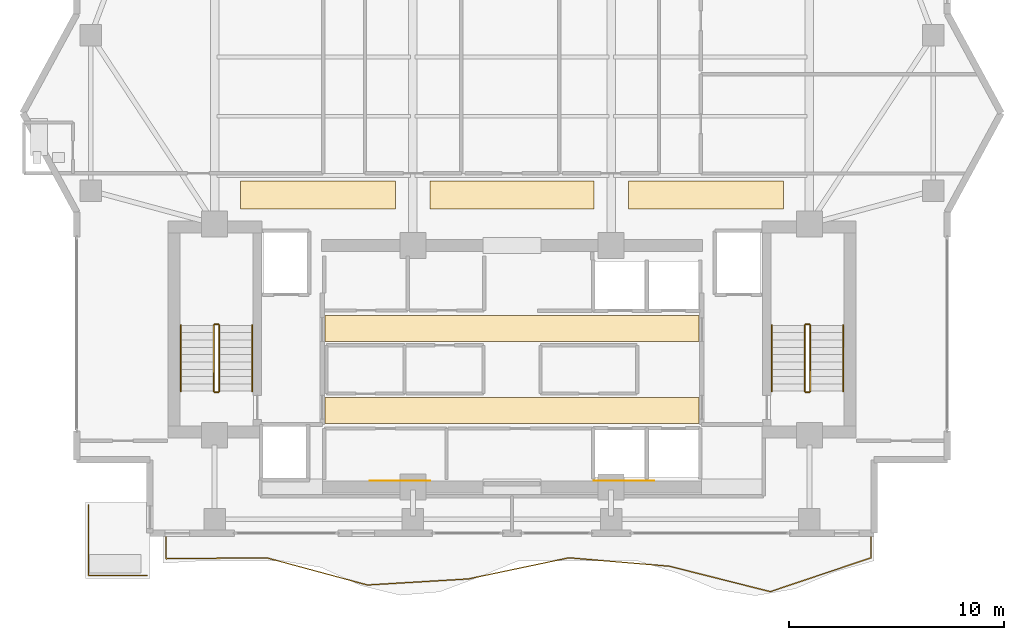
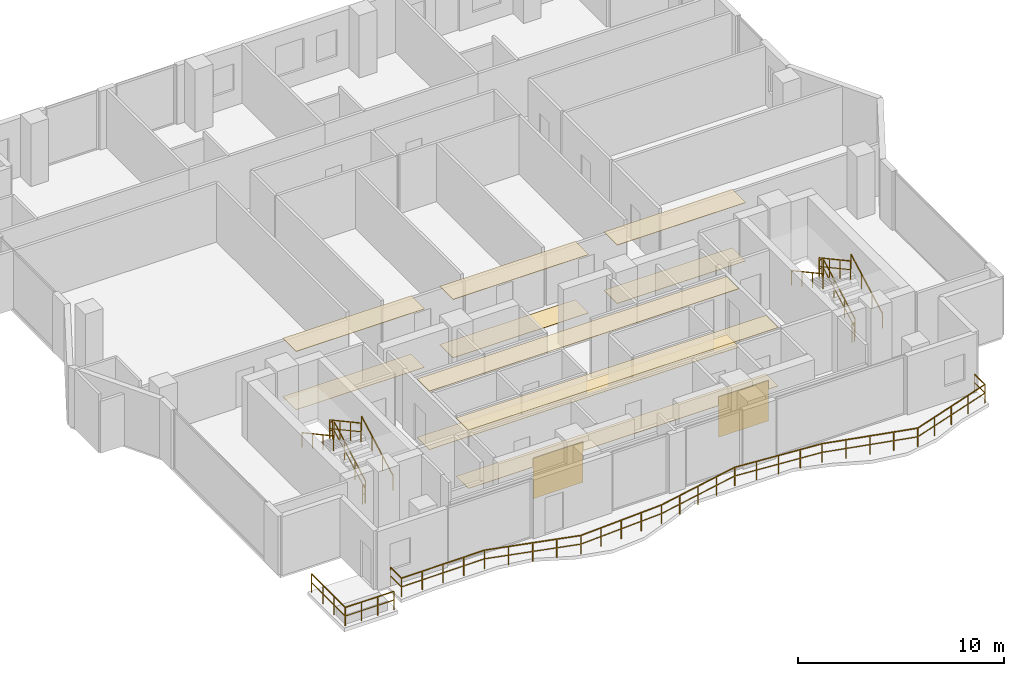
# One storey, part 22 of 24: 14 railings, 12 coverings.
"""IFC4 building model written with IfcOpenShell, lengths in metres."""

from ifc_helpers import new_model, si_unit, direction, frame, origin, origin_2d, place, context, subcontext, project, spatial, polyline, rectangle, outline, extrude, material, layer, layer_set, type_object, element, save


model = new_model("IFC4")

# Units and contexts
model_context = context("Model", 3, precision=1e-05, world=origin(), true_north=direction((0.0, 1.0)))
body_context = subcontext(model_context, "Body", "Model", "MODEL_VIEW")
ifc_project = project(units=[si_unit("LENGTHUNIT", "METRE"), si_unit("AREAUNIT", "SQUARE_METRE"), si_unit("VOLUMEUNIT", "CUBIC_METRE"), si_unit("PLANEANGLEUNIT", "RADIAN"), si_unit("MASSUNIT", "GRAM", prefix="KILO")], contexts=[model_context])

# Site, building, storey
site_placement = place(None, origin())
site = spatial("IfcSite", under=ifc_project, at=site_placement, CompositionType="ELEMENT")
building_placement = place(site_placement, origin())
building = spatial("IfcBuilding", under=site, at=building_placement, Name="Zuhayl Quay Hotel", CompositionType="ELEMENT")
storey_placement = place(building_placement, frame((0.0, 0.0, 280.35009765625)))
storey = spatial("IfcBuildingStorey", under=building, at=storey_placement, Name="L71", CompositionType="ELEMENT", Elevation=280.35009765625)

# Coverings
ifc_material_1 = material(Name="Acoustic Mineral-Fibre Gypsum Board")
ifc_layer_1 = layer(ifc_material_1, 0.02490234375, Name="Acoustic Mineral-Fibre Gypsum Board")
ifc_layer_set_1 = layer_set([ifc_layer_1], Name="Acoustic Mineral-Fibre Gypsum Board")
covering_type_1 = type_object("IfcCoveringType", Name="CV_CEIL_ACOUSTIC", PredefinedType="CEILING", material=ifc_layer_set_1)
covering_1_placement = place(storey_placement, frame((0.0, 0.0, 3.454833984375)))
element("IfcCovering", 1, at=covering_1_placement, inside=storey, type_object=covering_type_1, Name="L71 Suspended Acoustic Lobby Ceiling S", PredefinedType="CEILING", context=body_context, shape_type="SweptSolid", body=[
    extrude(outline(polyline([(-8.679931640625, 5.10009765625), (8.679931640625, 5.10009765625), (8.679931640625, 6.300048828125), (-8.679931640625, 6.300048828125), (-8.679931640625, 5.10009765625)])), origin(), (0.0, 0.0, 1.0), 0.025146484375),
])
covering_2_placement = place(storey_placement, frame((0.0, 0.0, 3.454833984375)))
element("IfcCovering", 2, at=covering_2_placement, inside=storey, type_object=covering_type_1, Name="L71 Suspended Acoustic Lobby Ceiling N", PredefinedType="CEILING", context=body_context, shape_type="SweptSolid", body=[
    extrude(outline(polyline([(-8.679931640625, 8.89990234375), (8.679931640625, 8.89990234375), (8.679931640625, 10.10009765625), (-8.679931640625, 10.10009765625), (-8.679931640625, 8.89990234375)])), origin(), (0.0, 0.0, 1.0), 0.025146484375),
])
covering_3_placement = place(storey_placement, frame((0.0, 0.0, 3.454833984375)))
element("IfcCovering", 3, at=covering_3_placement, inside=storey, type_object=covering_type_1, Name="L71 Guest Corridor Acoustic Ceiling CW", PredefinedType="CEILING", context=body_context, shape_type="SweptSolid", body=[
    extrude(outline(polyline([(-12.60009765625, 15.050048828125), (-5.39990234375, 15.050048828125), (-5.39990234375, 16.35009765625), (-12.60009765625, 16.35009765625), (-12.60009765625, 15.050048828125)])), origin(), (0.0, 0.0, 1.0), 0.025146484375),
])
covering_4_placement = place(storey_placement, frame((0.0, 0.0, 3.454833984375)))
element("IfcCovering", 4, at=covering_4_placement, inside=storey, type_object=covering_type_1, Name="L71 Guest Corridor Acoustic Ceiling CC", PredefinedType="CEILING", context=body_context, shape_type="SweptSolid", body=[
    extrude(outline(polyline([(-3.800048828125, 15.050048828125), (3.800048828125, 15.050048828125), (3.800048828125, 16.35009765625), (-3.800048828125, 16.35009765625), (-3.800048828125, 15.050048828125)])), origin(), (0.0, 0.0, 1.0), 0.025146484375),
])
covering_5_placement = place(storey_placement, frame((0.0, 0.0, 3.454833984375)))
element("IfcCovering", 5, at=covering_5_placement, inside=storey, type_object=covering_type_1, Name="L71 Guest Corridor Acoustic Ceiling CE", PredefinedType="CEILING", context=body_context, shape_type="SweptSolid", body=[
    extrude(outline(polyline([(5.39990234375, 15.050048828125), (12.60009765625, 15.050048828125), (12.60009765625, 16.35009765625), (5.39990234375, 16.35009765625), (5.39990234375, 15.050048828125)])), origin(), (0.0, 0.0, 1.0), 0.025146484375),
])
ifc_material_2 = material(Name="Polished Limestone Terrazzo", Category="masonry")
ifc_layer_2 = layer(ifc_material_2, 0.02001953125, Name="Polished Limestone Terrazzo", Category="masonry")
ifc_layer_set_2 = layer_set([ifc_layer_2], Name="Polished Limestone Terrazzo")
covering_type_2 = type_object("IfcCoveringType", Name="CV_FLOOR_TERRAZZO", PredefinedType="FLOORING", material=ifc_layer_set_2)
covering_6_placement = place(storey_placement, origin())
element("IfcCovering", 6, at=covering_6_placement, inside=storey, type_object=covering_type_2, Name="L71 Honed Limestone Terrazzo Lobby Flooring S", PredefinedType="FLOORING", context=body_context, shape_type="SweptSolid", body=[
    extrude(outline(polyline([(-8.679931640625, 5.10009765625), (8.679931640625, 5.10009765625), (8.679931640625, 6.300048828125), (-8.679931640625, 6.300048828125), (-8.679931640625, 5.10009765625)])), origin(), (0.0, 0.0, 1.0), 0.02001953125),
])
covering_7_placement = place(storey_placement, origin())
element("IfcCovering", 7, at=covering_7_placement, inside=storey, type_object=covering_type_2, Name="L71 Honed Limestone Terrazzo Lobby Flooring N", PredefinedType="FLOORING", context=body_context, shape_type="SweptSolid", body=[
    extrude(outline(polyline([(-8.679931640625, 8.89990234375), (8.679931640625, 8.89990234375), (8.679931640625, 10.10009765625), (-8.679931640625, 10.10009765625), (-8.679931640625, 8.89990234375)])), origin(), (0.0, 0.0, 1.0), 0.02001953125),
])
covering_8_placement = place(storey_placement, origin())
element("IfcCovering", 8, at=covering_8_placement, inside=storey, type_object=covering_type_2, Name="L71 Guest Corridor Terrazzo Runner CW", PredefinedType="FLOORING", context=body_context, shape_type="SweptSolid", body=[
    extrude(outline(polyline([(-12.60009765625, 15.050048828125), (-5.39990234375, 15.050048828125), (-5.39990234375, 16.35009765625), (-12.60009765625, 16.35009765625), (-12.60009765625, 15.050048828125)])), origin(), (0.0, 0.0, 1.0), 0.02001953125),
])
covering_9_placement = place(storey_placement, origin())
element("IfcCovering", 9, at=covering_9_placement, inside=storey, type_object=covering_type_2, Name="L71 Guest Corridor Terrazzo Runner CC", PredefinedType="FLOORING", context=body_context, shape_type="SweptSolid", body=[
    extrude(outline(polyline([(-3.800048828125, 15.050048828125), (3.800048828125, 15.050048828125), (3.800048828125, 16.35009765625), (-3.800048828125, 16.35009765625), (-3.800048828125, 15.050048828125)])), origin(), (0.0, 0.0, 1.0), 0.02001953125),
])
covering_10_placement = place(storey_placement, origin())
element("IfcCovering", 10, at=covering_10_placement, inside=storey, type_object=covering_type_2, Name="L71 Guest Corridor Terrazzo Runner CE", PredefinedType="FLOORING", context=body_context, shape_type="SweptSolid", body=[
    extrude(outline(polyline([(5.39990234375, 15.050048828125), (12.60009765625, 15.050048828125), (12.60009765625, 16.35009765625), (5.39990234375, 16.35009765625), (5.39990234375, 15.050048828125)])), origin(), (0.0, 0.0, 1.0), 0.02001953125),
])
ifc_material_3 = material(Name="Acoustic Walnut Feature Timber", Category="wood")
ifc_layer_3 = layer(ifc_material_3, 0.02197265625, Name="Acoustic Walnut Feature Timber", Category="wood")
ifc_layer_set_3 = layer_set([ifc_layer_3], Name="Acoustic Walnut Feature Timber")
covering_type_3 = type_object("IfcCoveringType", Name="CV_WALL_CLAD", PredefinedType="CLADDING", material=ifc_layer_set_3)
for number, where, z_axis, x_axis, name in (
    (11, (-5.199951171875, 2.43603515625, 0.300048828125), (0.0, 0.0, 1.0), (1.0, 0.0, 0.0), "L71 Feature Lobby Walnut Wall Cladding W"),
    (12, (5.199951171875, 2.43603515625, 0.300048828125), (0.0, 0.0, 1.0), (1.0, 0.0, 0.0), "L71 Feature Lobby Walnut Wall Cladding E"),
):
    element("IfcCovering", number, at=place(storey_placement, frame(where, z_axis=z_axis, x_axis=x_axis)), inside=storey, type_object=covering_type_3, Name=name, PredefinedType="CLADDING", context=body_context, shape_type="SweptSolid", body=[
        extrude(rectangle(XDim=2.800048828125, YDim=0.02197265625, at=origin_2d()), origin(), (0.0, 0.0, 1.0), 2.39990234375),
    ])

# Railings
ifc_material_4 = material(Name="Anodised Aluminium and Laminated Glass", Category="aluminium")
railing_type_1 = type_object("IfcRailingType", Name="RL_EXT_BAL_1100", PredefinedType="BALUSTRADE", material=ifc_material_4)
railing_1_placement = place(storey_placement, frame((-16.06005859375, -0.1201171875, 0.0)))
element("IfcRailing", 13, at=railing_1_placement, inside=storey, type_object=railing_type_1, Name="L71 Balcony and Terrace Guard GR_L71_BAL_S", PredefinedType="BALUSTRADE", context=body_context, shape_type="SweptSolid", body=[
    extrude(rectangle(XDim=0.048095703125, YDim=0.048095703125, at=origin_2d()), frame((0.0, 0.0, 1.09619140625), z_axis=(0.0, -1.0, 0.0), x_axis=(1.0, 0.0, 0.0)), (0.0, 0.0, 1.0), 1.063232421875),
    extrude(rectangle(XDim=0.0361328125, YDim=0.0361328125, at=origin_2d()), frame((0.0, 0.0, 0.58251953125), z_axis=(0.0, -1.0, 0.0), x_axis=(1.0, 0.0, 0.0)), (0.0, 0.0, 1.0), 1.063232421875),
    extrude(rectangle(XDim=0.048095703125, YDim=0.048095703125, at=origin_2d()), frame((0.0, -1.063232421875, 1.09619140625), z_axis=(0.999956785873, 0.009296579332, 0.0), x_axis=(-0.009296579332, 0.999956785873, 0.0)), (0.0, 0.0, 1.0), 4.674560546875),
    extrude(rectangle(XDim=0.0361328125, YDim=0.0361328125, at=origin_2d()), frame((0.0, -1.063232421875, 0.58251953125), z_axis=(0.999956785873, 0.009296579332, 0.0), x_axis=(-0.009296579332, 0.999956785873, 0.0)), (0.0, 0.0, 1.0), 4.674560546875),
    extrude(rectangle(XDim=0.048095703125, YDim=0.048095703125, at=origin_2d()), frame((4.67431640625, -1.019775390625, 1.09619140625), z_axis=(0.965447099775, -0.260599112694, 0.0), x_axis=(0.260599112694, 0.965447099775, 0.0)), (0.0, 0.0, 1.0), 4.841552734375),
    extrude(rectangle(XDim=0.0361328125, YDim=0.0361328125, at=origin_2d()), frame((4.67431640625, -1.019775390625, 0.58251953125), z_axis=(0.965447099775, -0.260599112694, 0.0), x_axis=(0.260599112694, 0.965447099775, 0.0)), (0.0, 0.0, 1.0), 4.841552734375),
    extrude(rectangle(XDim=0.048095703125, YDim=0.048095703125, at=origin_2d()), frame((9.3486328125, -2.281494140625, 1.09619140625), z_axis=(0.99821965182, 0.059645005833, 0.0), x_axis=(-0.059645005833, 0.99821965182, 0.0)), (0.0, 0.0, 1.0), 4.6826171875),
    extrude(rectangle(XDim=0.0361328125, YDim=0.0361328125, at=origin_2d()), frame((9.3486328125, -2.281494140625, 0.58251953125), z_axis=(0.99821965182, 0.059645005833, 0.0), x_axis=(-0.059645005833, 0.99821965182, 0.0)), (0.0, 0.0, 1.0), 4.6826171875),
    extrude(rectangle(XDim=0.048095703125, YDim=0.048095703125, at=origin_2d()), frame((14.02294921875, -2.002197265625, 1.09619140625), z_axis=(0.978619146182, 0.205680739801, 0.0), x_axis=(-0.205680739801, 0.978619146182, 0.0)), (0.0, 0.0, 1.0), 4.7763671875),
    extrude(rectangle(XDim=0.0361328125, YDim=0.0361328125, at=origin_2d()), frame((14.02294921875, -2.002197265625, 0.58251953125), z_axis=(0.978619146182, 0.205680739801, 0.0), x_axis=(-0.205680739801, 0.978619146182, 0.0)), (0.0, 0.0, 1.0), 4.7763671875),
    extrude(rectangle(XDim=0.048095703125, YDim=0.048095703125, at=origin_2d()), frame((18.697265625, -1.019775390625, 1.09619140625), z_axis=(0.996500019339, -0.083592532309, 0.0), x_axis=(0.083592532309, 0.996500019339, 0.0)), (0.0, 0.0, 1.0), 4.6904296875),
    extrude(rectangle(XDim=0.0361328125, YDim=0.0361328125, at=origin_2d()), frame((18.697265625, -1.019775390625, 0.58251953125), z_axis=(0.996500019339, -0.083592532309, 0.0), x_axis=(0.083592532309, 0.996500019339, 0.0)), (0.0, 0.0, 1.0), 4.6904296875),
    extrude(rectangle(XDim=0.048095703125, YDim=0.048095703125, at=origin_2d()), frame((23.371337890625, -1.411865234375, 1.09619140625), z_axis=(0.969657957975, -0.244465630583, 0.0), x_axis=(0.244465630583, 0.969657957975, 0.0)), (0.0, 0.0, 1.0), 4.820556640625),
    extrude(rectangle(XDim=0.0361328125, YDim=0.0361328125, at=origin_2d()), frame((23.371337890625, -1.411865234375, 0.58251953125), z_axis=(0.969657957975, -0.244465630583, 0.0), x_axis=(0.244465630583, 0.969657957975, 0.0)), (0.0, 0.0, 1.0), 4.820556640625),
    extrude(rectangle(XDim=0.048095703125, YDim=0.048095703125, at=origin_2d()), frame((28.045654296875, -2.59033203125, 1.09619140625), z_axis=(0.947923069513, 0.318499378783, 0.0), x_axis=(-0.318499378783, 0.947923069513, 0.0)), (0.0, 0.0, 1.0), 4.93115234375),
    extrude(rectangle(XDim=0.0361328125, YDim=0.0361328125, at=origin_2d()), frame((28.045654296875, -2.59033203125, 0.58251953125), z_axis=(0.947923069513, 0.318499378783, 0.0), x_axis=(-0.318499378783, 0.947923069513, 0.0)), (0.0, 0.0, 1.0), 4.93115234375),
    extrude(rectangle(XDim=0.048095703125, YDim=0.048095703125, at=origin_2d()), frame((32.719970703125, -1.019775390625, 1.09619140625), z_axis=(0.0, 1.0, 0.0), x_axis=(-1.0, 0.0, 0.0)), (0.0, 0.0, 1.0), 1.019775390625),
    extrude(rectangle(XDim=0.0361328125, YDim=0.0361328125, at=origin_2d()), frame((32.719970703125, -1.019775390625, 0.58251953125), z_axis=(0.0, 1.0, 0.0), x_axis=(-1.0, 0.0, 0.0)), (0.0, 0.0, 1.0), 1.019775390625),
    extrude(rectangle(XDim=0.0419921875, YDim=0.0419921875, at=origin_2d()), origin(), (0.0, 0.0, 1.0), 1.072021484375),
    extrude(rectangle(XDim=0.0419921875, YDim=0.0419921875, at=origin_2d()), frame((0.0, -1.063232421875, 0.0)), (0.0, 0.0, 1.0), 1.072021484375),
    extrude(rectangle(XDim=0.0419921875, YDim=0.0419921875, at=origin_2d()), frame((1.16845703125, -1.05224609375, 0.0)), (0.0, 0.0, 1.0), 1.072021484375),
    extrude(rectangle(XDim=0.0419921875, YDim=0.0419921875, at=origin_2d()), frame((2.337158203125, -1.04150390625, 0.0)), (0.0, 0.0, 1.0), 1.072021484375),
    extrude(rectangle(XDim=0.0419921875, YDim=0.0419921875, at=origin_2d()), frame((3.505859375, -1.03076171875, 0.0)), (0.0, 0.0, 1.0), 1.072021484375),
    extrude(rectangle(XDim=0.0419921875, YDim=0.0419921875, at=origin_2d()), frame((4.67431640625, -1.019775390625, 0.0)), (0.0, 0.0, 1.0), 1.072021484375),
    extrude(rectangle(XDim=0.0419921875, YDim=0.0419921875, at=origin_2d()), frame((5.8427734375, -1.335205078125, 0.0)), (0.0, 0.0, 1.0), 1.072021484375),
    extrude(rectangle(XDim=0.0419921875, YDim=0.0419921875, at=origin_2d()), frame((7.011474609375, -1.650634765625, 0.0)), (0.0, 0.0, 1.0), 1.072021484375),
    extrude(rectangle(XDim=0.0419921875, YDim=0.0419921875, at=origin_2d()), frame((8.18017578125, -1.966064453125, 0.0)), (0.0, 0.0, 1.0), 1.072021484375),
    extrude(rectangle(XDim=0.0419921875, YDim=0.0419921875, at=origin_2d()), frame((9.3486328125, -2.281494140625, 0.0)), (0.0, 0.0, 1.0), 1.072021484375),
    extrude(rectangle(XDim=0.0419921875, YDim=0.0419921875, at=origin_2d()), frame((10.51708984375, -2.211669921875, 0.0)), (0.0, 0.0, 1.0), 1.072021484375),
    extrude(rectangle(XDim=0.0419921875, YDim=0.0419921875, at=origin_2d()), frame((11.685791015625, -2.141845703125, 0.0)), (0.0, 0.0, 1.0), 1.072021484375),
    extrude(rectangle(XDim=0.0419921875, YDim=0.0419921875, at=origin_2d()), frame((12.8544921875, -2.072021484375, 0.0)), (0.0, 0.0, 1.0), 1.072021484375),
    extrude(rectangle(XDim=0.0419921875, YDim=0.0419921875, at=origin_2d()), frame((14.02294921875, -2.002197265625, 0.0)), (0.0, 0.0, 1.0), 1.072021484375),
    extrude(rectangle(XDim=0.0419921875, YDim=0.0419921875, at=origin_2d()), frame((15.19140625, -1.756591796875, 0.0)), (0.0, 0.0, 1.0), 1.072021484375),
    extrude(rectangle(XDim=0.0419921875, YDim=0.0419921875, at=origin_2d()), frame((16.360107421875, -1.510986328125, 0.0)), (0.0, 0.0, 1.0), 1.072021484375),
    extrude(rectangle(XDim=0.0419921875, YDim=0.0419921875, at=origin_2d()), frame((17.52880859375, -1.265380859375, 0.0)), (0.0, 0.0, 1.0), 1.072021484375),
    extrude(rectangle(XDim=0.0419921875, YDim=0.0419921875, at=origin_2d()), frame((18.697265625, -1.019775390625, 0.0)), (0.0, 0.0, 1.0), 1.072021484375),
    extrude(rectangle(XDim=0.0419921875, YDim=0.0419921875, at=origin_2d()), frame((19.86572265625, -1.11767578125, 0.0)), (0.0, 0.0, 1.0), 1.072021484375),
    extrude(rectangle(XDim=0.0419921875, YDim=0.0419921875, at=origin_2d()), frame((21.0341796875, -1.2158203125, 0.0)), (0.0, 0.0, 1.0), 1.072021484375),
    extrude(rectangle(XDim=0.0419921875, YDim=0.0419921875, at=origin_2d()), frame((22.202880859375, -1.31396484375, 0.0)), (0.0, 0.0, 1.0), 1.072021484375),
    extrude(rectangle(XDim=0.0419921875, YDim=0.0419921875, at=origin_2d()), frame((23.371337890625, -1.411865234375, 0.0)), (0.0, 0.0, 1.0), 1.072021484375),
    extrude(rectangle(XDim=0.0419921875, YDim=0.0419921875, at=origin_2d()), frame((24.5400390625, -1.70654296875, 0.0)), (0.0, 0.0, 1.0), 1.072021484375),
    extrude(rectangle(XDim=0.0419921875, YDim=0.0419921875, at=origin_2d()), frame((25.70849609375, -2.0009765625, 0.0)), (0.0, 0.0, 1.0), 1.072021484375),
    extrude(rectangle(XDim=0.0419921875, YDim=0.0419921875, at=origin_2d()), frame((26.876953125, -2.295654296875, 0.0)), (0.0, 0.0, 1.0), 1.072021484375),
    extrude(rectangle(XDim=0.0419921875, YDim=0.0419921875, at=origin_2d()), frame((28.045654296875, -2.59033203125, 0.0)), (0.0, 0.0, 1.0), 1.072021484375),
    extrude(rectangle(XDim=0.0419921875, YDim=0.0419921875, at=origin_2d()), frame((29.21435546875, -2.19775390625, 0.0)), (0.0, 0.0, 1.0), 1.072021484375),
    extrude(rectangle(XDim=0.0419921875, YDim=0.0419921875, at=origin_2d()), frame((30.3828125, -1.80517578125, 0.0)), (0.0, 0.0, 1.0), 1.072021484375),
    extrude(rectangle(XDim=0.0419921875, YDim=0.0419921875, at=origin_2d()), frame((31.55126953125, -1.412353515625, 0.0)), (0.0, 0.0, 1.0), 1.072021484375),
    extrude(rectangle(XDim=0.0419921875, YDim=0.0419921875, at=origin_2d()), frame((32.719970703125, -1.019775390625, 0.0)), (0.0, 0.0, 1.0), 1.072021484375),
    extrude(rectangle(XDim=0.0419921875, YDim=0.0419921875, at=origin_2d()), frame((32.719970703125, 0.0, 0.0)), (0.0, 0.0, 1.0), 1.072021484375),
])
railing_2_placement = place(storey_placement, frame((-19.659912109375, 1.31005859375, 0.0)))
element("IfcRailing", 14, at=railing_2_placement, inside=storey, type_object=railing_type_1, Name="L71 Balcony and Terrace Guard GR_L71_SPIRAL_SW", PredefinedType="BALUSTRADE", context=body_context, shape_type="SweptSolid", body=[
    extrude(rectangle(XDim=0.048095703125, YDim=0.048095703125, at=origin_2d()), frame((0.0, 0.0, 1.09619140625), z_axis=(0.0, -1.0, 0.0), x_axis=(1.0, 0.0, 0.0)), (0.0, 0.0, 1.0), 3.27001953125),
    extrude(rectangle(XDim=0.0361328125, YDim=0.0361328125, at=origin_2d()), frame((0.0, 0.0, 0.58251953125), z_axis=(0.0, -1.0, 0.0), x_axis=(1.0, 0.0, 0.0)), (0.0, 0.0, 1.0), 3.27001953125),
    extrude(rectangle(XDim=0.048095703125, YDim=0.048095703125, at=origin_2d()), frame((0.0, -3.27001953125, 1.09619140625), z_axis=(1.0, 0.0, 0.0), x_axis=(0.0, 1.0, 0.0)), (0.0, 0.0, 1.0), 2.719970703125),
    extrude(rectangle(XDim=0.0361328125, YDim=0.0361328125, at=origin_2d()), frame((0.0, -3.27001953125, 0.58251953125), z_axis=(1.0, 0.0, 0.0), x_axis=(0.0, 1.0, 0.0)), (0.0, 0.0, 1.0), 2.719970703125),
    extrude(rectangle(XDim=0.0419921875, YDim=0.0419921875, at=origin_2d()), origin(), (0.0, 0.0, 1.0), 1.072021484375),
    extrude(rectangle(XDim=0.0419921875, YDim=0.0419921875, at=origin_2d()), frame((0.0, -1.090087890625, 0.0)), (0.0, 0.0, 1.0), 1.072021484375),
    extrude(rectangle(XDim=0.0419921875, YDim=0.0419921875, at=origin_2d()), frame((0.0, -2.179931640625, 0.0)), (0.0, 0.0, 1.0), 1.072021484375),
    extrude(rectangle(XDim=0.0419921875, YDim=0.0419921875, at=origin_2d()), frame((0.0, -3.27001953125, 0.0)), (0.0, 0.0, 1.0), 1.072021484375),
    extrude(rectangle(XDim=0.0419921875, YDim=0.0419921875, at=origin_2d()), frame((0.90673828125, -3.27001953125, 0.0)), (0.0, 0.0, 1.0), 1.072021484375),
    extrude(rectangle(XDim=0.0419921875, YDim=0.0419921875, at=origin_2d()), frame((1.813232421875, -3.27001953125, 0.0)), (0.0, 0.0, 1.0), 1.072021484375),
    extrude(rectangle(XDim=0.0419921875, YDim=0.0419921875, at=origin_2d()), frame((2.719970703125, -3.27001953125, 0.0)), (0.0, 0.0, 1.0), 1.072021484375),
])
ifc_material_5 = material(Name="Steel ASTM A992 Grade 50", Category="steel")
railing_type_2 = type_object("IfcRailingType", Name="RL_GUARD_1100", PredefinedType="GUARDRAIL", material=ifc_material_5)
railing_3_placement = place(storey_placement, frame((-13.590087890625, 6.590087890625, 0.184814453125)))
element("IfcRailing", 15, at=railing_3_placement, inside=storey, type_object=railing_type_2, Name="L71 ST1 stair guard 1", PredefinedType="GUARDRAIL", context=body_context, shape_type="SweptSolid", body=[
    extrude(rectangle(XDim=0.048095703125, YDim=0.048095703125, at=origin_2d()), frame((0.0, 0.0, 1.09619140625), z_axis=(0.0, 0.878371892512, 0.477977843049), x_axis=(-1.0, 0.0, 0.0)), (0.0, 0.0, 1.0), 3.4833984375),
    extrude(rectangle(XDim=0.0361328125, YDim=0.0361328125, at=origin_2d()), frame((0.0, 0.0, 0.58251953125), z_axis=(0.0, 0.878371892512, 0.477977843049), x_axis=(-1.0, 0.0, 0.0)), (0.0, 0.0, 1.0), 3.4833984375),
    extrude(rectangle(XDim=0.0419921875, YDim=0.0419921875, at=origin_2d()), origin(), (0.0, 0.0, 1.0), 1.072021484375),
    extrude(rectangle(XDim=0.0419921875, YDim=0.0419921875, at=origin_2d()), frame((0.0, 1.02001953125, 0.554931640625)), (0.0, 0.0, 1.0), 1.072021484375),
    extrude(rectangle(XDim=0.0419921875, YDim=0.0419921875, at=origin_2d()), frame((0.0, 2.039794921875, 1.110107421875)), (0.0, 0.0, 1.0), 1.072021484375),
    extrude(rectangle(XDim=0.0419921875, YDim=0.0419921875, at=origin_2d()), frame((0.0, 3.059814453125, 1.6650390625)), (0.0, 0.0, 1.0), 1.072021484375),
])
railing_4_placement = place(storey_placement, frame((-13.639892578125, 9.699951171875, 1.849853515625)))
element("IfcRailing", 16, at=railing_4_placement, inside=storey, type_object=railing_type_2, Name="L71 ST1 stair guard 2", PredefinedType="GUARDRAIL", context=body_context, shape_type="SweptSolid", body=[
    extrude(rectangle(XDim=0.048095703125, YDim=0.048095703125, at=origin_2d()), frame((0.0, 0.0, 1.09619140625), z_axis=(-1.0, 0.0, 0.0), x_axis=(0.0, -1.0, 0.0)), (0.0, 0.0, 1.0), 0.150146484375),
    extrude(rectangle(XDim=0.0361328125, YDim=0.0361328125, at=origin_2d()), frame((0.0, 0.0, 0.58251953125), z_axis=(-1.0, 0.0, 0.0), x_axis=(0.0, -1.0, 0.0)), (0.0, 0.0, 1.0), 0.150146484375),
    extrude(rectangle(XDim=0.0419921875, YDim=0.0419921875, at=origin_2d()), origin(), (0.0, 0.0, 1.0), 1.072021484375),
    extrude(rectangle(XDim=0.0419921875, YDim=0.0419921875, at=origin_2d()), frame((-0.150146484375, 0.0, 0.0)), (0.0, 0.0, 1.0), 1.072021484375),
])
railing_5_placement = place(storey_placement, frame((-13.840087890625, 9.64990234375, 2.034912109375)))
element("IfcRailing", 17, at=railing_5_placement, inside=storey, type_object=railing_type_2, Name="L71 ST1 stair guard 3", PredefinedType="GUARDRAIL", context=body_context, shape_type="SweptSolid", body=[
    extrude(rectangle(XDim=0.048095703125, YDim=0.048095703125, at=origin_2d()), frame((0.0, 0.0, 1.09619140625), z_axis=(0.0, -0.878371892512, 0.477977843049), x_axis=(1.0, 0.0, 0.0)), (0.0, 0.0, 1.0), 3.4833984375),
    extrude(rectangle(XDim=0.0361328125, YDim=0.0361328125, at=origin_2d()), frame((0.0, 0.0, 0.58251953125), z_axis=(0.0, -0.878371892512, 0.477977843049), x_axis=(1.0, 0.0, 0.0)), (0.0, 0.0, 1.0), 3.4833984375),
    extrude(rectangle(XDim=0.0419921875, YDim=0.0419921875, at=origin_2d()), origin(), (0.0, 0.0, 1.0), 1.072021484375),
    extrude(rectangle(XDim=0.0419921875, YDim=0.0419921875, at=origin_2d()), frame((0.0, -1.02001953125, 0.554931640625)), (0.0, 0.0, 1.0), 1.072021484375),
    extrude(rectangle(XDim=0.0419921875, YDim=0.0419921875, at=origin_2d()), frame((0.0, -2.039794921875, 1.110107421875)), (0.0, 0.0, 1.0), 1.072021484375),
    extrude(rectangle(XDim=0.0419921875, YDim=0.0419921875, at=origin_2d()), frame((0.0, -3.059814453125, 1.6650390625)), (0.0, 0.0, 1.0), 1.072021484375),
])
railing_6_placement = place(storey_placement, frame((-13.639892578125, 6.5400390625, 0.0)))
element("IfcRailing", 18, at=railing_6_placement, inside=storey, type_object=railing_type_2, Name="L71 ST1 stair guard 4", PredefinedType="GUARDRAIL", context=body_context, shape_type="SweptSolid", body=[
    extrude(rectangle(XDim=0.048095703125, YDim=0.048095703125, at=origin_2d()), frame((0.0, 0.0, 1.09619140625), z_axis=(-1.0, 0.0, 0.0), x_axis=(0.0, -1.0, 0.0)), (0.0, 0.0, 1.0), 0.150146484375),
    extrude(rectangle(XDim=0.0361328125, YDim=0.0361328125, at=origin_2d()), frame((0.0, 0.0, 0.58251953125), z_axis=(-1.0, 0.0, 0.0), x_axis=(0.0, -1.0, 0.0)), (0.0, 0.0, 1.0), 0.150146484375),
    extrude(rectangle(XDim=0.0419921875, YDim=0.0419921875, at=origin_2d()), origin(), (0.0, 0.0, 1.0), 1.072021484375),
    extrude(rectangle(XDim=0.0419921875, YDim=0.0419921875, at=origin_2d()), frame((-0.150146484375, 0.0, 0.0)), (0.0, 0.0, 1.0), 1.072021484375),
])
railing_7_placement = place(storey_placement, frame((13.840087890625, 6.590087890625, 0.184814453125)))
element("IfcRailing", 19, at=railing_7_placement, inside=storey, type_object=railing_type_2, Name="L71 ST2 stair guard 1", PredefinedType="GUARDRAIL", context=body_context, shape_type="SweptSolid", body=[
    extrude(rectangle(XDim=0.048095703125, YDim=0.048095703125, at=origin_2d()), frame((0.0, 0.0, 1.09619140625), z_axis=(0.0, 0.878371892512, 0.477977843049), x_axis=(-1.0, 0.0, 0.0)), (0.0, 0.0, 1.0), 3.4833984375),
    extrude(rectangle(XDim=0.0361328125, YDim=0.0361328125, at=origin_2d()), frame((0.0, 0.0, 0.58251953125), z_axis=(0.0, 0.878371892512, 0.477977843049), x_axis=(-1.0, 0.0, 0.0)), (0.0, 0.0, 1.0), 3.4833984375),
    extrude(rectangle(XDim=0.0419921875, YDim=0.0419921875, at=origin_2d()), origin(), (0.0, 0.0, 1.0), 1.072021484375),
    extrude(rectangle(XDim=0.0419921875, YDim=0.0419921875, at=origin_2d()), frame((0.0, 1.02001953125, 0.554931640625)), (0.0, 0.0, 1.0), 1.072021484375),
    extrude(rectangle(XDim=0.0419921875, YDim=0.0419921875, at=origin_2d()), frame((0.0, 2.039794921875, 1.110107421875)), (0.0, 0.0, 1.0), 1.072021484375),
    extrude(rectangle(XDim=0.0419921875, YDim=0.0419921875, at=origin_2d()), frame((0.0, 3.059814453125, 1.6650390625)), (0.0, 0.0, 1.0), 1.072021484375),
])
railing_8_placement = place(storey_placement, frame((13.7900390625, 9.699951171875, 1.849853515625)))
element("IfcRailing", 20, at=railing_8_placement, inside=storey, type_object=railing_type_2, Name="L71 ST2 stair guard 2", PredefinedType="GUARDRAIL", context=body_context, shape_type="SweptSolid", body=[
    extrude(rectangle(XDim=0.048095703125, YDim=0.048095703125, at=origin_2d()), frame((0.0, 0.0, 1.09619140625), z_axis=(-1.0, 0.0, 0.0), x_axis=(0.0, -1.0, 0.0)), (0.0, 0.0, 1.0), 0.150146484375),
    extrude(rectangle(XDim=0.0361328125, YDim=0.0361328125, at=origin_2d()), frame((0.0, 0.0, 0.58251953125), z_axis=(-1.0, 0.0, 0.0), x_axis=(0.0, -1.0, 0.0)), (0.0, 0.0, 1.0), 0.150146484375),
    extrude(rectangle(XDim=0.0419921875, YDim=0.0419921875, at=origin_2d()), origin(), (0.0, 0.0, 1.0), 1.072021484375),
    extrude(rectangle(XDim=0.0419921875, YDim=0.0419921875, at=origin_2d()), frame((-0.150146484375, 0.0, 0.0)), (0.0, 0.0, 1.0), 1.072021484375),
])
railing_9_placement = place(storey_placement, frame((13.590087890625, 9.64990234375, 2.034912109375)))
element("IfcRailing", 21, at=railing_9_placement, inside=storey, type_object=railing_type_2, Name="L71 ST2 stair guard 3", PredefinedType="GUARDRAIL", context=body_context, shape_type="SweptSolid", body=[
    extrude(rectangle(XDim=0.048095703125, YDim=0.048095703125, at=origin_2d()), frame((0.0, 0.0, 1.09619140625), z_axis=(0.0, -0.878371892512, 0.477977843049), x_axis=(1.0, 0.0, 0.0)), (0.0, 0.0, 1.0), 3.4833984375),
    extrude(rectangle(XDim=0.0361328125, YDim=0.0361328125, at=origin_2d()), frame((0.0, 0.0, 0.58251953125), z_axis=(0.0, -0.878371892512, 0.477977843049), x_axis=(1.0, 0.0, 0.0)), (0.0, 0.0, 1.0), 3.4833984375),
    extrude(rectangle(XDim=0.0419921875, YDim=0.0419921875, at=origin_2d()), origin(), (0.0, 0.0, 1.0), 1.072021484375),
    extrude(rectangle(XDim=0.0419921875, YDim=0.0419921875, at=origin_2d()), frame((0.0, -1.02001953125, 0.554931640625)), (0.0, 0.0, 1.0), 1.072021484375),
    extrude(rectangle(XDim=0.0419921875, YDim=0.0419921875, at=origin_2d()), frame((0.0, -2.039794921875, 1.110107421875)), (0.0, 0.0, 1.0), 1.072021484375),
    extrude(rectangle(XDim=0.0419921875, YDim=0.0419921875, at=origin_2d()), frame((0.0, -3.059814453125, 1.6650390625)), (0.0, 0.0, 1.0), 1.072021484375),
])
railing_10_placement = place(storey_placement, frame((13.7900390625, 6.5400390625, 0.0)))
element("IfcRailing", 22, at=railing_10_placement, inside=storey, type_object=railing_type_2, Name="L71 ST2 stair guard 4", PredefinedType="GUARDRAIL", context=body_context, shape_type="SweptSolid", body=[
    extrude(rectangle(XDim=0.048095703125, YDim=0.048095703125, at=origin_2d()), frame((0.0, 0.0, 1.09619140625), z_axis=(-1.0, 0.0, 0.0), x_axis=(0.0, -1.0, 0.0)), (0.0, 0.0, 1.0), 0.150146484375),
    extrude(rectangle(XDim=0.0361328125, YDim=0.0361328125, at=origin_2d()), frame((0.0, 0.0, 0.58251953125), z_axis=(-1.0, 0.0, 0.0), x_axis=(0.0, -1.0, 0.0)), (0.0, 0.0, 1.0), 0.150146484375),
    extrude(rectangle(XDim=0.0419921875, YDim=0.0419921875, at=origin_2d()), origin(), (0.0, 0.0, 1.0), 1.072021484375),
    extrude(rectangle(XDim=0.0419921875, YDim=0.0419921875, at=origin_2d()), frame((-0.150146484375, 0.0, 0.0)), (0.0, 0.0, 1.0), 1.072021484375),
])
railing_type_3 = type_object("IfcRailingType", Name="RL_HANDRAIL_920", PredefinedType="HANDRAIL", material=ifc_material_5)
railing_11_placement = place(storey_placement, frame((-12.050048828125, 6.590087890625, 0.184814453125)))
element("IfcRailing", 23, at=railing_11_placement, inside=storey, type_object=railing_type_3, Name="L71 ST1 stair handrail 1", PredefinedType="HANDRAIL", context=body_context, shape_type="SweptSolid", body=[
    extrude(rectangle(XDim=0.048095703125, YDim=0.048095703125, at=origin_2d()), frame((0.0, 0.0, 0.8759765625), z_axis=(0.0, 0.878371892512, 0.477977843049), x_axis=(-1.0, 0.0, 0.0)), (0.0, 0.0, 1.0), 3.4833984375),
    extrude(rectangle(XDim=0.0419921875, YDim=0.0419921875, at=origin_2d()), origin(), (0.0, 0.0, 1.0), 0.851806640625),
    extrude(rectangle(XDim=0.0419921875, YDim=0.0419921875, at=origin_2d()), frame((0.0, 1.02001953125, 0.554931640625)), (0.0, 0.0, 1.0), 0.851806640625),
    extrude(rectangle(XDim=0.0419921875, YDim=0.0419921875, at=origin_2d()), frame((0.0, 2.039794921875, 1.110107421875)), (0.0, 0.0, 1.0), 0.851806640625),
    extrude(rectangle(XDim=0.0419921875, YDim=0.0419921875, at=origin_2d()), frame((0.0, 3.059814453125, 1.6650390625)), (0.0, 0.0, 1.0), 0.851806640625),
])
railing_12_placement = place(storey_placement, frame((-15.3798828125, 9.64990234375, 2.034912109375)))
element("IfcRailing", 24, at=railing_12_placement, inside=storey, type_object=railing_type_3, Name="L71 ST1 stair handrail 2", PredefinedType="HANDRAIL", context=body_context, shape_type="SweptSolid", body=[
    extrude(rectangle(XDim=0.048095703125, YDim=0.048095703125, at=origin_2d()), frame((0.0, 0.0, 0.8759765625), z_axis=(0.0, -0.878371892512, 0.477977843049), x_axis=(1.0, 0.0, 0.0)), (0.0, 0.0, 1.0), 3.4833984375),
    extrude(rectangle(XDim=0.0419921875, YDim=0.0419921875, at=origin_2d()), origin(), (0.0, 0.0, 1.0), 0.851806640625),
    extrude(rectangle(XDim=0.0419921875, YDim=0.0419921875, at=origin_2d()), frame((0.0, -1.02001953125, 0.554931640625)), (0.0, 0.0, 1.0), 0.851806640625),
    extrude(rectangle(XDim=0.0419921875, YDim=0.0419921875, at=origin_2d()), frame((0.0, -2.039794921875, 1.110107421875)), (0.0, 0.0, 1.0), 0.851806640625),
    extrude(rectangle(XDim=0.0419921875, YDim=0.0419921875, at=origin_2d()), frame((0.0, -3.059814453125, 1.6650390625)), (0.0, 0.0, 1.0), 0.851806640625),
])
railing_13_placement = place(storey_placement, frame((15.3798828125, 6.590087890625, 0.184814453125)))
element("IfcRailing", 25, at=railing_13_placement, inside=storey, type_object=railing_type_3, Name="L71 ST2 stair handrail 1", PredefinedType="HANDRAIL", context=body_context, shape_type="SweptSolid", body=[
    extrude(rectangle(XDim=0.048095703125, YDim=0.048095703125, at=origin_2d()), frame((0.0, 0.0, 0.8759765625), z_axis=(0.0, 0.878371892512, 0.477977843049), x_axis=(-1.0, 0.0, 0.0)), (0.0, 0.0, 1.0), 3.4833984375),
    extrude(rectangle(XDim=0.0419921875, YDim=0.0419921875, at=origin_2d()), origin(), (0.0, 0.0, 1.0), 0.851806640625),
    extrude(rectangle(XDim=0.0419921875, YDim=0.0419921875, at=origin_2d()), frame((0.0, 1.02001953125, 0.554931640625)), (0.0, 0.0, 1.0), 0.851806640625),
    extrude(rectangle(XDim=0.0419921875, YDim=0.0419921875, at=origin_2d()), frame((0.0, 2.039794921875, 1.110107421875)), (0.0, 0.0, 1.0), 0.851806640625),
    extrude(rectangle(XDim=0.0419921875, YDim=0.0419921875, at=origin_2d()), frame((0.0, 3.059814453125, 1.6650390625)), (0.0, 0.0, 1.0), 0.851806640625),
])
railing_14_placement = place(storey_placement, frame((12.050048828125, 9.64990234375, 2.034912109375)))
element("IfcRailing", 26, at=railing_14_placement, inside=storey, type_object=railing_type_3, Name="L71 ST2 stair handrail 2", PredefinedType="HANDRAIL", context=body_context, shape_type="SweptSolid", body=[
    extrude(rectangle(XDim=0.048095703125, YDim=0.048095703125, at=origin_2d()), frame((0.0, 0.0, 0.8759765625), z_axis=(0.0, -0.878371892512, 0.477977843049), x_axis=(1.0, 0.0, 0.0)), (0.0, 0.0, 1.0), 3.4833984375),
    extrude(rectangle(XDim=0.0419921875, YDim=0.0419921875, at=origin_2d()), origin(), (0.0, 0.0, 1.0), 0.851806640625),
    extrude(rectangle(XDim=0.0419921875, YDim=0.0419921875, at=origin_2d()), frame((0.0, -1.02001953125, 0.554931640625)), (0.0, 0.0, 1.0), 0.851806640625),
    extrude(rectangle(XDim=0.0419921875, YDim=0.0419921875, at=origin_2d()), frame((0.0, -2.039794921875, 1.110107421875)), (0.0, 0.0, 1.0), 0.851806640625),
    extrude(rectangle(XDim=0.0419921875, YDim=0.0419921875, at=origin_2d()), frame((0.0, -3.059814453125, 1.6650390625)), (0.0, 0.0, 1.0), 0.851806640625),
])

save(model, "model.ifc")
